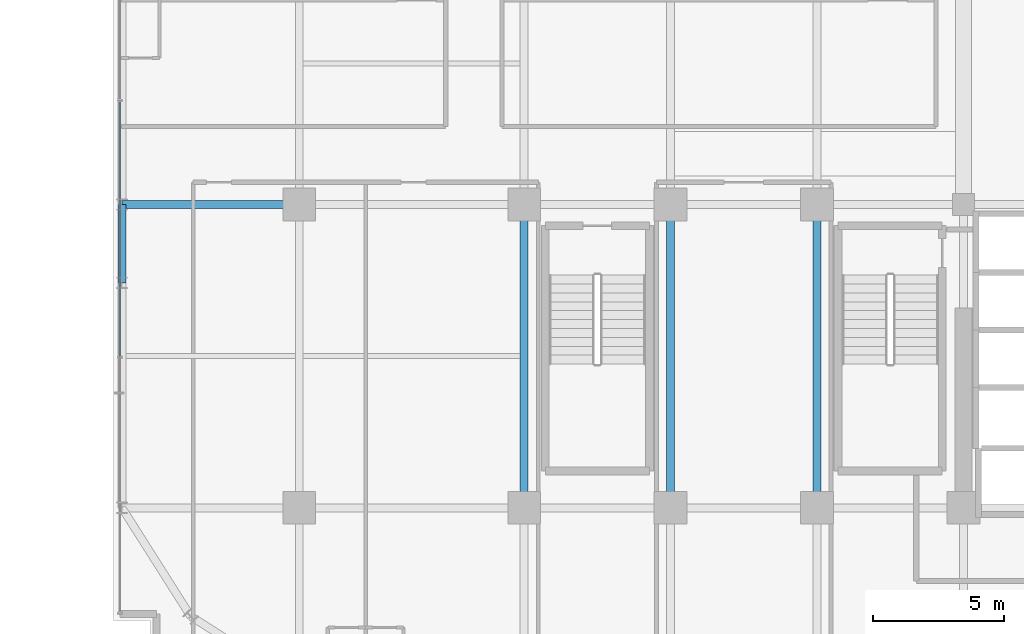
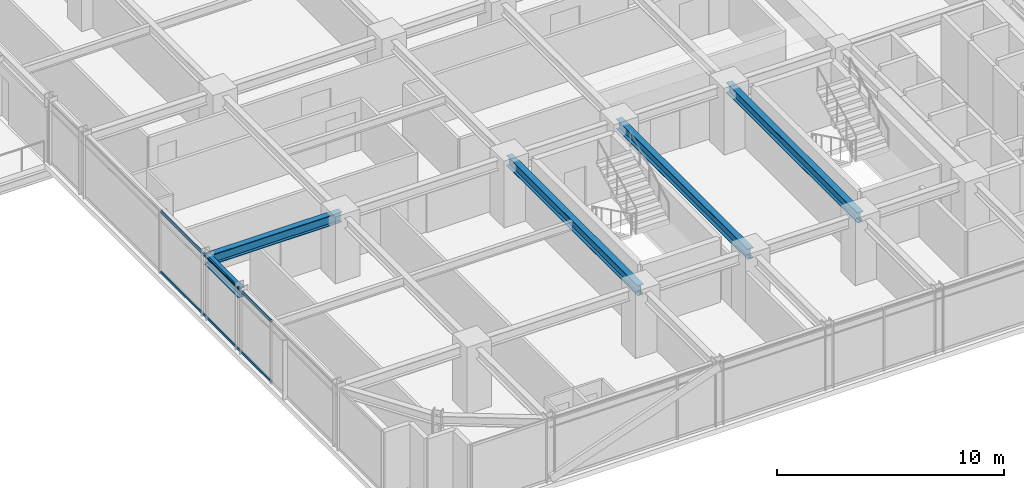
# One storey, part 7 of 35: 5 beams, 2 members, 1 element without a shape of its own.
"""IFC4 building model written with IfcOpenShell, lengths in metres."""

from ifc_helpers import new_model, si_unit, direction, frame, origin, origin_2d, place, context, subcontext, project, spatial, hollow_rectangle, i_section, extrude, source, transform, mapped, material, material_profile, profile_set, type_object, element, aggregate, save


model = new_model("IFC4")

# Units and contexts
model_context = context("Model", 3, precision=1e-05, world=origin(), true_north=direction((0.0, 1.0)))
body_context = subcontext(model_context, "Body", "Model", "MODEL_VIEW")
ifc_project = project(units=[si_unit("LENGTHUNIT", "METRE"), si_unit("AREAUNIT", "SQUARE_METRE"), si_unit("VOLUMEUNIT", "CUBIC_METRE"), si_unit("PLANEANGLEUNIT", "RADIAN"), si_unit("MASSUNIT", "GRAM", prefix="KILO")], contexts=[model_context])

# Site, building, storey
site_placement = place(None, origin())
site = spatial("IfcSite", under=ifc_project, at=site_placement, CompositionType="ELEMENT")
building_placement = place(site_placement, origin())
building = spatial("IfcBuilding", under=site, at=building_placement, Name="Nahalor Promenade Grand Hotel", CompositionType="ELEMENT")
storey_placement = place(building_placement, frame((0.0, 0.0, 121.14990234375)))
storey = spatial("IfcBuildingStorey", under=building, at=storey_placement, Name="L30", CompositionType="ELEMENT", Elevation=121.14990234375)

# Beams
ifc_material_1 = material(Name="Steel S355JR", Category="steel")
ifc_material_profile_1 = material_profile(ifc_material_1, i_section(OverallWidth=0.3, OverallDepth=0.5, WebThickness=0.0145, FlangeThickness=0.028, at=origin_2d()), Name="HEB 500")
ifc_profile_set_1 = profile_set([ifc_material_profile_1], Name="Steel S355JR")
beam_type_1 = type_object("IfcBeamType", Name="Beam-Spandrel-HEB500", PredefinedType="SPANDREL", material=ifc_profile_set_1)
shared_shape_1 = source(origin(), body_context, "Body", "SweptSolid", [
    extrude(i_section(OverallWidth=0.3, OverallDepth=0.5, WebThickness=0.0145, FlangeThickness=0.028, at=origin_2d()), origin(), (0.0, 0.0, 1.0), 3.0),
])
beam_1_placement = place(storey_placement, frame((-23.780029296875, -8.39990234375, 3.130126953125), z_axis=(0.0, 1.0, 0.0), x_axis=(-1.0, 0.0, 0.0)))
element("IfcBeam", 1, at=beam_1_placement, inside=storey, type_object=beam_type_1, Name="BM-L30-SP-W-1", PredefinedType="SPANDREL", context=body_context, shape_type="MappedRepresentation", body=[
    mapped(shared_shape_1, transform((0.0, 0.0, 0.0), scale=1.0)),
])
ifc_material_profile_2 = material_profile(ifc_material_1, i_section(OverallWidth=0.3, OverallDepth=0.55, WebThickness=0.015, FlangeThickness=0.029, at=origin_2d()), Name="HEB 550")
ifc_profile_set_2 = profile_set([ifc_material_profile_2], Name="Steel S355JR")
beam_type_2 = type_object("IfcBeamType", Name="Beam-Girder-HEB550", PredefinedType="BEAM", material=ifc_profile_set_2)
shared_shape_2 = source(origin(), body_context, "Body", "SweptSolid", [
    extrude(i_section(OverallWidth=0.3, OverallDepth=0.55, WebThickness=0.015, FlangeThickness=0.029, at=origin_2d()), origin(), (0.0, 0.0, 1.0), 6.780029296875),
])
beam_2_placement = place(storey_placement, frame((-23.780029296875, -5.39990234375, 3.10498046875), z_axis=(1.0, 0.0, 0.0), x_axis=(0.0, 1.0, 0.0)))
element("IfcBeam", 2, at=beam_2_placement, inside=storey, type_object=beam_type_2, Name="BM-L30-GX-1-0", PredefinedType="BEAM", context=body_context, shape_type="MappedRepresentation", body=[
    mapped(shared_shape_2, transform((0.0, 0.0, 0.0), scale=1.0)),
])
shared_shape_3 = source(origin(), body_context, "Body", "SweptSolid", [
    extrude(i_section(OverallWidth=0.3, OverallDepth=0.55, WebThickness=0.015, FlangeThickness=0.029, at=origin_2d()), origin(), (0.0, 0.0, 1.0), 11.60009765625),
])
for number, where, z_axis, x_axis, name in (
    (3, (-8.39990234375, -17.0, 3.10498046875), (0.0, 1.0, 0.0), (-1.0, 0.0, 0.0), "BM-L30-GY-1-1"),
    (4, (-2.800048828125, -17.0, 3.10498046875), (0.0, 1.0, 0.0), (-1.0, 0.0, 0.0), "BM-L30-GY-2-1"),
    (5, (2.800048828125, -17.0, 3.10498046875), (0.0, 1.0, 0.0), (-1.0, 0.0, 0.0), "BM-L30-GY-3-1"),
):
    element("IfcBeam", number, at=place(storey_placement, frame(where, z_axis=z_axis, x_axis=x_axis)), inside=storey, type_object=beam_type_2, Name=name, PredefinedType="BEAM", context=body_context, shape_type="MappedRepresentation", body=[
        mapped(shared_shape_3, transform((0.0, 0.0, 0.0), scale=1.0)),
    ])

# Curtain wall, members
ifc_material_2 = material(Name="Anodised Bronze Aluminium EN AW-6063 T6", Category="aluminium")
curtain_wall_type = type_object("IfcCurtainWallType", Name="CW2 Typical Hotel Flush Bronze Unitised Curtain Wall", PredefinedType="USERDEFINED", material=ifc_material_2)
curtain_wall_placement = place(storey_placement, origin())
curtain_wall = element("IfcCurtainWall", 6, at=curtain_wall_placement, inside=storey, type_object=curtain_wall_type, Name="L30 Curtain Wall CW-L30-W-1", ObjectType="UNITISED_CURTAIN_WALL", PredefinedType="USERDEFINED")
ifc_material_profile_3 = material_profile(ifc_material_2, hollow_rectangle(XDim=0.065, YDim=0.13, WallThickness=0.004, at=origin_2d()), Name="CWT 65x130x4")
ifc_profile_set_3 = profile_set([ifc_material_profile_3], Name="Anodised Bronze Aluminium EN AW-6063 T6")
member_type = type_object("IfcMemberType", Name="CWT2 Typical Bronze Transom 65x130", PredefinedType="USERDEFINED", material=ifc_profile_set_3)
shared_shape_4 = source(origin(), body_context, "Body", "SweptSolid", [
    extrude(hollow_rectangle(XDim=0.065, YDim=0.13, WallThickness=0.004, at=origin_2d()), origin(), (0.0, 0.0, 1.0), 9.755126953125),
])
member_1_placement = place(storey_placement, frame((-23.860107421875, -11.20751953125, 0.065185546875), z_axis=(0.0, 1.0, 0.0), x_axis=(-1.0, 0.0, 0.0)))
member_1 = element("IfcMember", 7, at=member_1_placement, type_object=member_type, Name="CW-L30-W-1 Transom 1-0", ObjectType="TRANSOM", PredefinedType="USERDEFINED", context=body_context, shape_type="MappedRepresentation", body=[
    mapped(shared_shape_4, transform((0.0, 0.0, 0.0), scale=1.0)),
])
member_2_placement = place(storey_placement, frame((-23.860107421875, -11.20751953125, 3.315185546875), z_axis=(0.0, 1.0, 0.0), x_axis=(-1.0, 0.0, 0.0)))
member_2 = element("IfcMember", 8, at=member_2_placement, type_object=member_type, Name="CW-L30-W-1 Transom 1-1", ObjectType="TRANSOM", PredefinedType="USERDEFINED", context=body_context, shape_type="MappedRepresentation", body=[
    mapped(shared_shape_4, transform((0.0, 0.0, 0.0), scale=1.0)),
])
aggregate(curtain_wall, [member_1, member_2])

save(model, "model.ifc")
